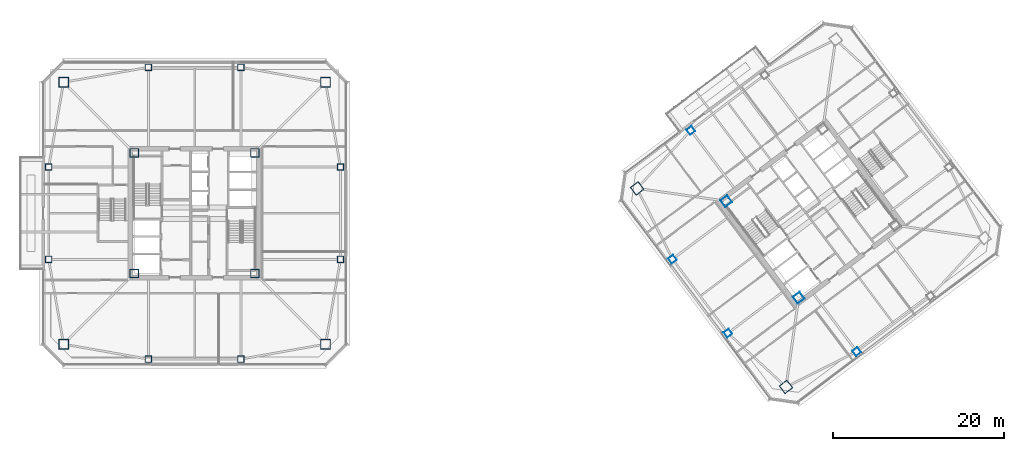
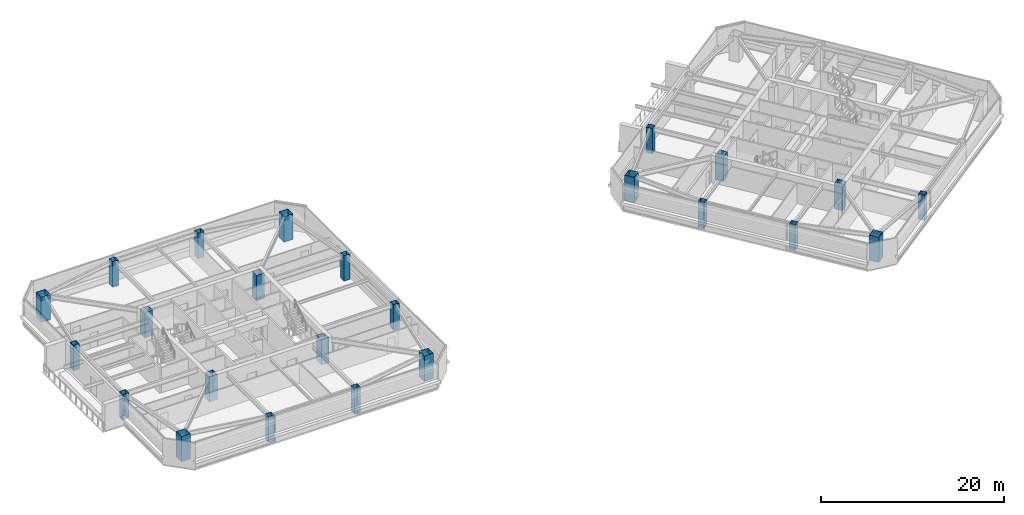
# One storey, part 1 of 41: 24 columns.
"""IFC4 building model written with IfcOpenShell, lengths in metres."""

from ifc_helpers import new_model, si_unit, direction, frame, origin, origin_2d, place, context, subcontext, project, spatial, hollow_rectangle, extrude, material, material_profile, profile_set, type_object, element, save


model = new_model("IFC4")

# Units and contexts
model_context = context("Model", 3, precision=1e-05, world=origin(), true_north=direction((0.0, 1.0)))
body_context = subcontext(model_context, "Body", "Model", "MODEL_VIEW")
ifc_project = project(units=[si_unit("LENGTHUNIT", "METRE"), si_unit("AREAUNIT", "SQUARE_METRE"), si_unit("VOLUMEUNIT", "CUBIC_METRE"), si_unit("PLANEANGLEUNIT", "RADIAN"), si_unit("MASSUNIT", "GRAM", prefix="KILO")], contexts=[model_context])

# Site, building, storey
site_placement = place(None, origin())
site = spatial("IfcSite", under=ifc_project, at=site_placement, CompositionType="ELEMENT")
building_placement = place(site_placement, origin())
building = spatial("IfcBuilding", under=site, at=building_placement, Name="Tashvorn Skyway Center", CompositionType="ELEMENT")
storey_placement = place(building_placement, frame((0.0, 0.0, 192.5)))
storey = spatial("IfcBuildingStorey", under=building, at=storey_placement, Name="L52", CompositionType="ELEMENT", Elevation=192.5)

# Columns
ifc_material = material(Name="Steel ASTM A572 Grade 50", Category="steel")
ifc_material_profile_1 = material_profile(ifc_material, hollow_rectangle(XDim=1.0, YDim=1.0, WallThickness=0.0400390625, at=origin_2d()), Name="BOX1000x1000x40")
ifc_profile_set_1 = profile_set([ifc_material_profile_1], Name="Steel ASTM A572 Grade 50")
column_type_1 = type_object("IfcColumnType", Name="COL-BOX1000x1000x40", PredefinedType="COLUMN", material=ifc_profile_set_1)
for number, where, z_axis, x_axis, name in (
    (1, (34.949951171875, 24.949951171875, 0.0), (0.0, 0.0, 1.0), (1.0, 0.0, 0.0), "Tower 1 L52 Core Corner Column CC-SW"),
    (2, (49.050048828125, 24.949951171875, 0.0), (0.0, 0.0, 1.0), (1.0, 0.0, 0.0), "Tower 1 L52 Core Corner Column CC-SE"),
    (3, (49.050048828125, 39.050048828125, 0.0), (0.0, 0.0, 1.0), (1.0, 0.0, 0.0), "Tower 1 L52 Core Corner Column CC-NE"),
    (4, (34.949951171875, 39.050048828125, 0.0), (0.0, 0.0, 1.0), (1.0, 0.0, 0.0), "Tower 1 L52 Core Corner Column CC-NW"),
    (5, (112.590087890625, 22.1298828125, 0.0), (0.0, 0.0, 1.0), (0.799999996291, 0.600000004945, 0.0), "Tower 2 L52 Core Corner Column CC-SW"),
    (6, (104.1298828125, 33.409912109375, 0.0), (0.0, 0.0, 1.0), (0.799999996291, 0.600000004945, 0.0), "Tower 2 L52 Core Corner Column CC-NW"),
):
    element("IfcColumn", number, at=place(storey_placement, frame(where, z_axis=z_axis, x_axis=x_axis)), inside=storey, type_object=column_type_1, Name=name, PredefinedType="COLUMN", context=body_context, shape_type="SweptSolid", body=[
        extrude(hollow_rectangle(XDim=1.0, YDim=1.0, WallThickness=0.0400390625, at=origin_2d()), origin(), (0.0, 0.0, 1.0), 3.3701171875),
    ])
ifc_material_profile_2 = material_profile(ifc_material, hollow_rectangle(XDim=1.14990234375, YDim=1.14990234375, WallThickness=0.044921875, at=origin_2d()), Name="BOX1150x1150x45")
ifc_profile_set_2 = profile_set([ifc_material_profile_2], Name="Steel ASTM A572 Grade 50")
column_type_2 = type_object("IfcColumnType", Name="COL-BOX1150x1150x45", PredefinedType="COLUMN", material=ifc_profile_set_2)
for number, where, z_axis, x_axis, name in (
    (7, (26.699951171875, 16.699951171875, 0.0), (0.0, 0.0, 1.0), (1.0, 0.0, 0.0), "Tower 1 L52 Mega-Column MC-SW"),
    (8, (57.300048828125, 16.699951171875, 0.0), (0.0, 0.0, 1.0), (1.0, 0.0, 0.0), "Tower 1 L52 Mega-Column MC-SE"),
    (9, (57.300048828125, 47.300048828125, 0.0), (0.0, 0.0, 1.0), (1.0, 0.0, 0.0), "Tower 1 L52 Mega-Column MC-NE"),
    (10, (26.699951171875, 47.300048828125, 0.0), (0.0, 0.0, 1.0), (1.0, 0.0, 0.0), "Tower 1 L52 Mega-Column MC-NW"),
    (11, (111.10009765625, 11.699951171875, 0.0), (0.0, 0.0, 1.0), (0.799999996291, 0.600000004945, 0.0), "Tower 2 L52 Mega-Column MC-SW"),
    (12, (93.699951171875, 34.89990234375, 0.0), (0.0, 0.0, 1.0), (0.799999996291, 0.600000004945, 0.0), "Tower 2 L52 Mega-Column MC-NW"),
):
    element("IfcColumn", number, at=place(storey_placement, frame(where, z_axis=z_axis, x_axis=x_axis)), inside=storey, type_object=column_type_2, Name=name, PredefinedType="COLUMN", context=body_context, shape_type="SweptSolid", body=[
        extrude(hollow_rectangle(XDim=1.14990234375, YDim=1.14990234375, WallThickness=0.044921875, at=origin_2d()), origin(), (0.0, 0.0, 1.0), 3.3701171875),
    ])
ifc_material_profile_3 = material_profile(ifc_material, hollow_rectangle(XDim=0.75, YDim=0.75, WallThickness=0.031982421875, at=origin_2d()), Name="BOX750x750x32")
ifc_profile_set_3 = profile_set([ifc_material_profile_3], Name="Steel ASTM A572 Grade 50")
column_type_3 = type_object("IfcColumnType", Name="COL-BOX750x750x32", PredefinedType="COLUMN", material=ifc_profile_set_3)
for number, where, z_axis, x_axis, name in (
    (13, (36.60009765625, 14.949951171875, 0.0), (0.0, 0.0, 1.0), (1.0, 0.0, 0.0), "Tower 1 L52 Perimeter Column FC-S1"),
    (14, (47.39990234375, 14.949951171875, 0.0), (0.0, 0.0, 1.0), (1.0, 0.0, 0.0), "Tower 1 L52 Perimeter Column FC-S2"),
    (15, (59.050048828125, 26.60009765625, 0.0), (0.0, 0.0, 1.0), (1.0, 0.0, 0.0), "Tower 1 L52 Perimeter Column FC-E1"),
    (16, (59.050048828125, 37.39990234375, 0.0), (0.0, 0.0, 1.0), (1.0, 0.0, 0.0), "Tower 1 L52 Perimeter Column FC-E2"),
    (17, (47.39990234375, 49.050048828125, 0.0), (0.0, 0.0, 1.0), (1.0, 0.0, 0.0), "Tower 1 L52 Perimeter Column FC-N1"),
    (18, (36.60009765625, 49.050048828125, 0.0), (0.0, 0.0, 1.0), (1.0, 0.0, 0.0), "Tower 1 L52 Perimeter Column FC-N2"),
    (19, (24.949951171875, 37.39990234375, 0.0), (0.0, 0.0, 1.0), (1.0, 0.0, 0.0), "Tower 1 L52 Perimeter Column FC-W1"),
    (20, (24.949951171875, 26.60009765625, 0.0), (0.0, 0.0, 1.0), (1.0, 0.0, 0.0), "Tower 1 L52 Perimeter Column FC-W2"),
    (21, (119.3701171875, 15.840087890625, 0.0), (0.0, 0.0, 1.0), (0.799999996291, 0.600000004945, 0.0), "Tower 2 L52 Perimeter Column FC-S1"),
    (22, (99.989990234375, 41.679931640625, 0.0), (0.0, 0.0, 1.0), (0.799999996291, 0.600000004945, 0.0), "Tower 2 L52 Perimeter Column FC-N2"),
    (23, (97.840087890625, 26.6298828125, 0.0), (0.0, 0.0, 1.0), (0.799999996291, 0.600000004945, 0.0), "Tower 2 L52 Perimeter Column FC-W1"),
    (24, (104.320068359375, 17.989990234375, 0.0), (0.0, 0.0, 1.0), (0.799999996291, 0.600000004945, 0.0), "Tower 2 L52 Perimeter Column FC-W2"),
):
    element("IfcColumn", number, at=place(storey_placement, frame(where, z_axis=z_axis, x_axis=x_axis)), inside=storey, type_object=column_type_3, Name=name, PredefinedType="COLUMN", context=body_context, shape_type="SweptSolid", body=[
        extrude(hollow_rectangle(XDim=0.75, YDim=0.75, WallThickness=0.031982421875, at=origin_2d()), origin(), (0.0, 0.0, 1.0), 3.3701171875),
    ])

save(model, "model.ifc")
